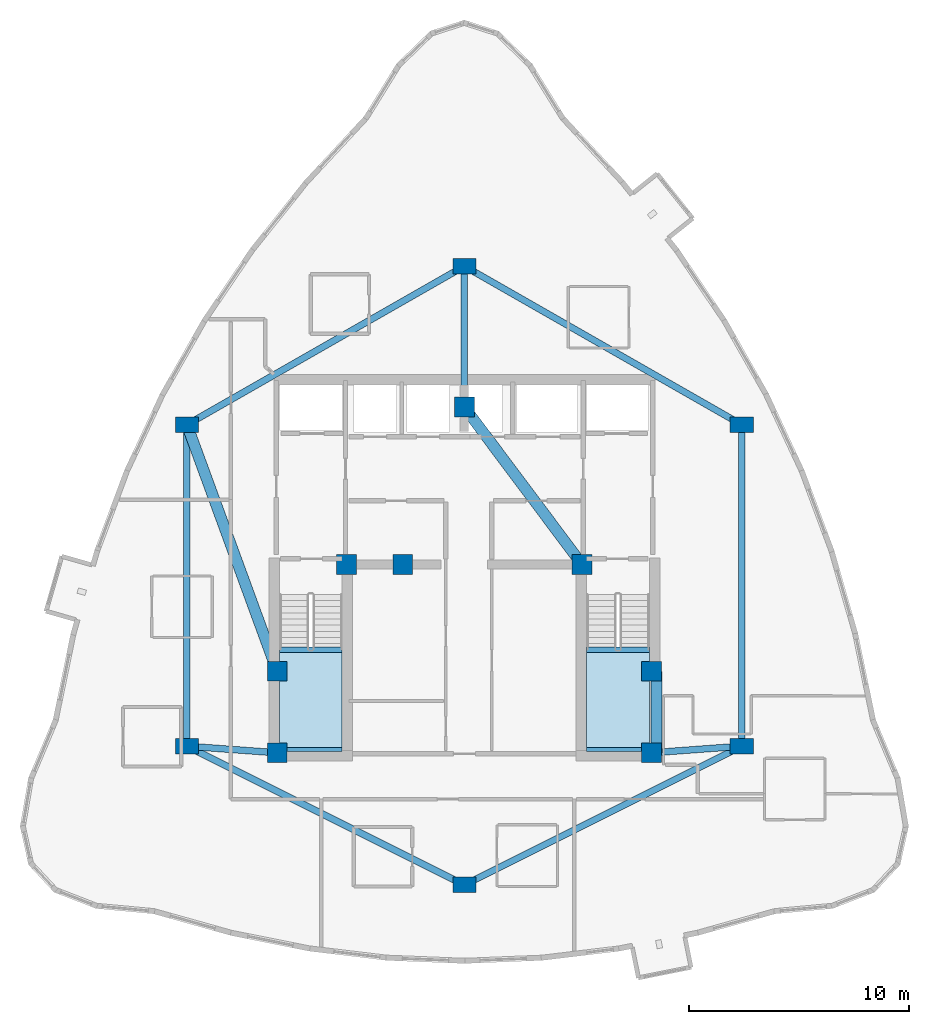
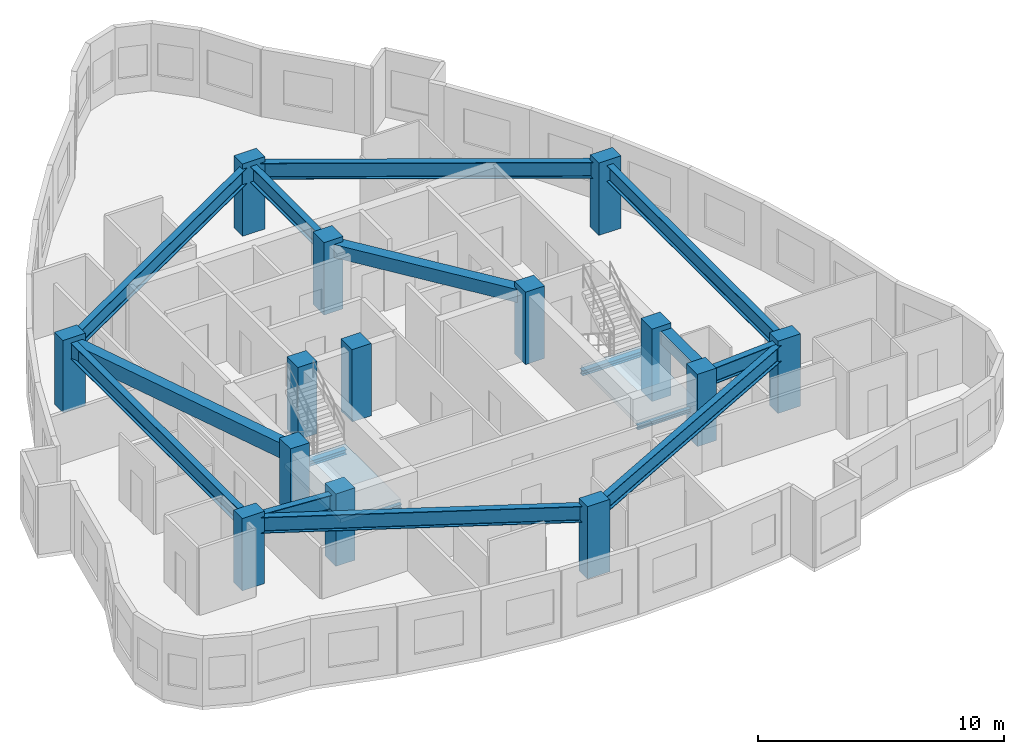
# One storey, part 1 of 8: 16 beams, 14 columns, 2 slabs, 2 elements without a shape of their own.
"""IFC4 building model written with IfcOpenShell, lengths in metres."""

from ifc_helpers import new_model, si_unit, direction, frame, origin, origin_2d, place, context, subcontext, project, spatial, polyline, rectangle, i_section, outline, extrude, material, layer, layer_set, material_profile, profile_set, type_object, element, aggregate, save


model = new_model("IFC4")

# Units and contexts
model_context = context("Model", 3, precision=1e-05, world=origin(), true_north=direction((0.0, 1.0)))
body_context = subcontext(model_context, "Body", "Model", "MODEL_VIEW")
ifc_project = project(units=[si_unit("LENGTHUNIT", "METRE"), si_unit("AREAUNIT", "SQUARE_METRE"), si_unit("VOLUMEUNIT", "CUBIC_METRE"), si_unit("PLANEANGLEUNIT", "RADIAN"), si_unit("MASSUNIT", "GRAM", prefix="KILO")], contexts=[model_context])

# Site, building, storey
site_placement = place(None, origin())
site = spatial("IfcSite", under=ifc_project, at=site_placement, CompositionType="ELEMENT")
building_placement = place(site_placement, origin())
building = spatial("IfcBuilding", under=site, at=building_placement, Name="Miruveldt Soraemaru", CompositionType="ELEMENT")
storey_placement = place(building_placement, frame((0.0, 0.0, 208.800048828125)))
storey = spatial("IfcBuildingStorey", under=building, at=storey_placement, Name="L57", CompositionType="ELEMENT", Elevation=208.800048828125)

# Columns
ifc_material_1 = material(Name="Concrete C50/60 (50 MPa)", Category="concrete")
ifc_material_profile_1 = material_profile(ifc_material_1, rectangle(XDim=0.89990234375, YDim=0.89990234375, at=origin_2d()), Name="Concrete C50/60 (50 MPa)", Category="concrete")
ifc_profile_set_1 = profile_set([ifc_material_profile_1], Name="Concrete C50/60 (50 MPa)")
column_type_1 = type_object("IfcColumnType", Name="COL-CORE-900", PredefinedType="COLUMN", material=ifc_profile_set_1)
for number, where, z_axis, x_axis, name in (
    (1, (35.5, 35.5, 0.0), (0.0, 0.0, 1.0), (1.0, 0.0, 0.0), "L57 Structural Column CC1"),
    (2, (38.64990234375, 44.050048828125, 0.0), (0.0, 0.0, 1.0), (1.0, 0.0, 0.0), "L57 Structural Column CC2"),
    (3, (52.5, 35.5, 0.0), (0.0, 0.0, 1.0), (1.0, 0.0, 0.0), "L57 Structural Column CC3"),
    (4, (52.5, 39.199951171875, 0.0), (0.0, 0.0, 1.0), (1.0, 0.0, 0.0), "L57 Structural Column CC4"),
    (5, (49.35009765625, 44.050048828125, 0.0), (0.0, 0.0, 1.0), (1.0, 0.0, 0.0), "L57 Structural Column CC5"),
    (6, (44.0, 51.199951171875, 0.0), (0.0, 0.0, 1.0), (1.0, 0.0, 0.0), "L57 Structural Column CC6"),
    (7, (35.5, 39.199951171875, 0.0), (0.0, 0.0, 1.0), (1.0, 0.0, 0.0), "L57 Structural Column CC7"),
    (8, (41.199951171875, 44.050048828125, 0.0), (0.0, 0.0, 1.0), (1.0, 0.0, 0.0), "L57 Structural Column CC8"),
):
    element("IfcColumn", number, at=place(storey_placement, frame(where, z_axis=z_axis, x_axis=x_axis)), inside=storey, type_object=column_type_1, Name=name, PredefinedType="COLUMN", context=body_context, shape_type="SweptSolid", body=[
        extrude(rectangle(XDim=0.89990234375, YDim=0.89990234375, at=origin_2d()), origin(), (0.0, 0.0, 1.0), 3.599853515625),
    ])
ifc_material_2 = material(Name="Concrete C60/75 (60 MPa)", Category="concrete")
ifc_material_profile_2 = material_profile(ifc_material_2, rectangle(XDim=1.050048828125, YDim=0.699951171875, at=origin_2d()), Name="Concrete C60/75 (60 MPa)", Category="concrete")
ifc_profile_set_2 = profile_set([ifc_material_profile_2], Name="Concrete C60/75 (60 MPa)")
column_type_2 = type_object("IfcColumnType", Name="COL-TW-Z3", PredefinedType="COLUMN", material=ifc_profile_set_2)
for number, where, z_axis, x_axis, name in (
    (9, (44.0, 57.60009765625, 0.0), (0.0, 0.0, 1.0), (1.0, 0.0, 0.0), "L57 Structural Column IR01"),
    (10, (56.60009765625, 50.39990234375, 0.0), (0.0, 0.0, 1.0), (1.0, 0.0, 0.0), "L57 Structural Column IR02"),
    (11, (56.60009765625, 35.800048828125, 0.0), (0.0, 0.0, 1.0), (1.0, 0.0, 0.0), "L57 Structural Column IR03"),
    (12, (44.0, 29.5, 0.0), (0.0, 0.0, 1.0), (1.0, 0.0, 0.0), "L57 Structural Column IR04"),
    (13, (31.39990234375, 35.800048828125, 0.0), (0.0, 0.0, 1.0), (1.0, 0.0, 0.0), "L57 Structural Column IR05"),
    (14, (31.39990234375, 50.39990234375, 0.0), (0.0, 0.0, 1.0), (1.0, 0.0, 0.0), "L57 Structural Column IR06"),
):
    element("IfcColumn", number, at=place(storey_placement, frame(where, z_axis=z_axis, x_axis=x_axis)), inside=storey, type_object=column_type_2, Name=name, PredefinedType="COLUMN", context=body_context, shape_type="SweptSolid", body=[
        extrude(rectangle(XDim=1.050048828125, YDim=0.699951171875, at=origin_2d()), origin(), (0.0, 0.0, 1.0), 3.599853515625),
    ])

# Beams
ifc_material_profile_3 = material_profile(ifc_material_1, rectangle(XDim=0.5, YDim=0.64990234375, at=origin_2d()), Name="Concrete C50/60 (50 MPa)", Category="concrete")
ifc_profile_set_3 = profile_set([ifc_material_profile_3], Name="Concrete C50/60 (50 MPa)")
beam_type_1 = type_object("IfcBeamType", Name="BM-RC-500x650", PredefinedType="BEAM", material=ifc_profile_set_3)
beam_1_placement = place(storey_placement, frame((52.72998046875, 35.5, 3.02001953125), z_axis=(0.0, 1.0, 0.0), x_axis=(-1.0, 0.0, 0.0)))
element("IfcBeam", 15, at=beam_1_placement, inside=storey, type_object=beam_type_1, Name="L57 Core Tie Beam 3", PredefinedType="BEAM", context=body_context, shape_type="SweptSolid", body=[
    extrude(rectangle(XDim=0.5, YDim=0.64990234375, at=origin_2d()), origin(), (0.0, 0.0, 1.0), 3.699951171875),
])
beam_2_placement = place(storey_placement, frame((49.35009765625, 44.050048828125, 3.02001953125), z_axis=(-0.599116023999, 0.800662219533, 0.0), x_axis=(-0.800662219533, -0.599116023999, 0.0)))
element("IfcBeam", 16, at=beam_2_placement, inside=storey, type_object=beam_type_1, Name="L57 Core Tie Beam 5", PredefinedType="BEAM", context=body_context, shape_type="SweptSolid", body=[
    extrude(rectangle(XDim=0.5, YDim=0.64990234375, at=origin_2d()), origin(), (0.0, 0.0, 1.0), 8.929931640625),
])
ifc_material_3 = material(Name="Concrete C40/50 (40 MPa)", Category="concrete")
ifc_material_profile_4 = material_profile(ifc_material_3, rectangle(XDim=0.5, YDim=0.75, at=origin_2d()), Name="Concrete C40/50 (40 MPa)", Category="concrete")
ifc_profile_set_4 = profile_set([ifc_material_profile_4], Name="Concrete C40/50 (40 MPa)")
beam_type_2 = type_object("IfcBeamType", Name="BM-RC-500x750", PredefinedType="LINTEL", material=ifc_profile_set_4)
beam_3_placement = place(storey_placement, frame((31.39990234375, 50.39990234375, 2.969970703125), z_axis=(0.343770424598, -0.939053723262, 0.0), x_axis=(0.939053723262, 0.343770424598, 0.0)))
element("IfcBeam", 17, at=beam_3_placement, inside=storey, type_object=beam_type_2, Name="L57 West Lobby Lintel", PredefinedType="LINTEL", context=body_context, shape_type="SweptSolid", body=[
    extrude(rectangle(XDim=0.5, YDim=0.75, at=origin_2d()), origin(), (0.0, 0.0, 1.0), 11.9267578125),
])
ifc_material_4 = material(Name="Steel S460 (460 MPa)", Category="steel")
ifc_material_profile_5 = material_profile(ifc_material_4, i_section(OverallWidth=0.300048828125, OverallDepth=0.800048828125, WebThickness=0.013916015625, FlangeThickness=0.02587890625, FilletRadius=0.028076171875, at=origin_2d()), Name="Steel S460 (460 MPa)", Category="steel")
ifc_profile_set_5 = profile_set([ifc_material_profile_5], Name="Steel S460 (460 MPa)")
beam_type_3 = type_object("IfcBeamType", Name="BM-ST-H800", PredefinedType="BEAM", material=ifc_profile_set_5)
beam_4_placement = place(storey_placement, frame((44.0, 57.60009765625, 2.945068359375), z_axis=(0.868239001029, -0.496146185203, 0.0), x_axis=(0.496146185203, 0.868239001029, 0.0)))
element("IfcBeam", 18, at=beam_4_placement, inside=storey, type_object=beam_type_3, Name="L57 Inner Ring Girder 1", PredefinedType="BEAM", context=body_context, shape_type="SweptSolid", body=[
    extrude(i_section(OverallWidth=0.300048828125, OverallDepth=0.800048828125, WebThickness=0.013916015625, FlangeThickness=0.02587890625, FilletRadius=0.028076171875, at=origin_2d()), origin(), (0.0, 0.0, 1.0), 14.51220703125),
])
beam_5_placement = place(storey_placement, frame((44.0, 51.199951171875, 2.945068359375), z_axis=(0.0, 1.0, 0.0), x_axis=(-1.0, 0.0, 0.0)))
element("IfcBeam", 19, at=beam_5_placement, inside=storey, type_object=beam_type_3, Name="L57 Core-to-Inner Radial Girder 1", PredefinedType="BEAM", context=body_context, shape_type="SweptSolid", body=[
    extrude(i_section(OverallWidth=0.300048828125, OverallDepth=0.800048828125, WebThickness=0.013916015625, FlangeThickness=0.02587890625, FilletRadius=0.028076171875, at=origin_2d()), origin(), (0.0, 0.0, 1.0), 6.400146484375),
])
beam_6_placement = place(storey_placement, frame((56.60009765625, 50.39990234375, 2.945068359375), z_axis=(0.0, -1.0, 0.0), x_axis=(1.0, 0.0, 0.0)))
element("IfcBeam", 20, at=beam_6_placement, inside=storey, type_object=beam_type_3, Name="L57 Inner Ring Girder 2", PredefinedType="BEAM", context=body_context, shape_type="SweptSolid", body=[
    extrude(i_section(OverallWidth=0.300048828125, OverallDepth=0.800048828125, WebThickness=0.013916015625, FlangeThickness=0.02587890625, FilletRadius=0.028076171875, at=origin_2d()), origin(), (0.0, 0.0, 1.0), 14.599853515625),
])
beam_7_placement = place(storey_placement, frame((56.60009765625, 35.800048828125, 2.945068359375), z_axis=(-0.894427191, -0.4472135955, 0.0), x_axis=(0.4472135955, -0.894427191, 0.0)))
element("IfcBeam", 21, at=beam_7_placement, inside=storey, type_object=beam_type_3, Name="L57 Inner Ring Girder 3", PredefinedType="BEAM", context=body_context, shape_type="SweptSolid", body=[
    extrude(i_section(OverallWidth=0.300048828125, OverallDepth=0.800048828125, WebThickness=0.013916015625, FlangeThickness=0.02587890625, FilletRadius=0.028076171875, at=origin_2d()), origin(), (0.0, 0.0, 1.0), 14.08740234375),
])
beam_8_placement = place(storey_placement, frame((52.5, 35.5, 2.945068359375), z_axis=(0.997332985605, 0.072985723431, 0.0), x_axis=(-0.072985723431, 0.997332985605, 0.0)))
element("IfcBeam", 22, at=beam_8_placement, inside=storey, type_object=beam_type_3, Name="L57 Core-to-Inner Radial Girder 3", PredefinedType="BEAM", context=body_context, shape_type="SweptSolid", body=[
    extrude(i_section(OverallWidth=0.300048828125, OverallDepth=0.800048828125, WebThickness=0.013916015625, FlangeThickness=0.02587890625, FilletRadius=0.028076171875, at=origin_2d()), origin(), (0.0, 0.0, 1.0), 4.111083984375),
])
beam_9_placement = place(storey_placement, frame((44.0, 29.5, 2.945068359375), z_axis=(-0.894427191, 0.4472135955, 0.0), x_axis=(-0.4472135955, -0.894427191, 0.0)))
element("IfcBeam", 23, at=beam_9_placement, inside=storey, type_object=beam_type_3, Name="L57 Inner Ring Girder 4", PredefinedType="BEAM", context=body_context, shape_type="SweptSolid", body=[
    extrude(i_section(OverallWidth=0.300048828125, OverallDepth=0.800048828125, WebThickness=0.013916015625, FlangeThickness=0.02587890625, FilletRadius=0.028076171875, at=origin_2d()), origin(), (0.0, 0.0, 1.0), 14.08740234375),
])
beam_10_placement = place(storey_placement, frame((31.39990234375, 35.800048828125, 2.945068359375), z_axis=(0.0, 1.0, 0.0), x_axis=(-1.0, 0.0, 0.0)))
element("IfcBeam", 24, at=beam_10_placement, inside=storey, type_object=beam_type_3, Name="L57 Inner Ring Girder 5", PredefinedType="BEAM", context=body_context, shape_type="SweptSolid", body=[
    extrude(i_section(OverallWidth=0.300048828125, OverallDepth=0.800048828125, WebThickness=0.013916015625, FlangeThickness=0.02587890625, FilletRadius=0.028076171875, at=origin_2d()), origin(), (0.0, 0.0, 1.0), 14.599853515625),
])
beam_11_placement = place(storey_placement, frame((35.5, 35.5, 2.945068359375), z_axis=(-0.997332985605, 0.072985723431, 0.0), x_axis=(-0.072985723431, -0.997332985605, 0.0)))
element("IfcBeam", 25, at=beam_11_placement, inside=storey, type_object=beam_type_3, Name="L57 Core-to-Inner Radial Girder 5", PredefinedType="BEAM", context=body_context, shape_type="SweptSolid", body=[
    extrude(i_section(OverallWidth=0.300048828125, OverallDepth=0.800048828125, WebThickness=0.013916015625, FlangeThickness=0.02587890625, FilletRadius=0.028076171875, at=origin_2d()), origin(), (0.0, 0.0, 1.0), 4.111083984375),
])
beam_12_placement = place(storey_placement, frame((31.39990234375, 50.39990234375, 2.945068359375), z_axis=(0.868239001029, 0.496146185203, 0.0), x_axis=(-0.496146185203, 0.868239001029, 0.0)))
element("IfcBeam", 26, at=beam_12_placement, inside=storey, type_object=beam_type_3, Name="L57 Inner Ring Girder 6", PredefinedType="BEAM", context=body_context, shape_type="SweptSolid", body=[
    extrude(i_section(OverallWidth=0.300048828125, OverallDepth=0.800048828125, WebThickness=0.013916015625, FlangeThickness=0.02587890625, FilletRadius=0.028076171875, at=origin_2d()), origin(), (0.0, 0.0, 1.0), 14.51220703125),
])
ifc_material_5 = material(Name="Steel SM355 (355 MPa)", Category="steel")
ifc_material_profile_6 = material_profile(ifc_material_5, i_section(OverallWidth=0.199951171875, OverallDepth=0.199951171875, WebThickness=0.008056640625, FlangeThickness=0.011962890625, FilletRadius=0.012939453125, at=origin_2d()), Name="Steel SM355 (355 MPa)", Category="steel")
ifc_profile_set_6 = profile_set([ifc_material_profile_6], Name="Steel SM355 (355 MPa)")
beam_type_4 = type_object("IfcBeamType", Name="BM-ST-LND200", PredefinedType="BEAM", material=ifc_profile_set_6)
for number, where, z_axis, x_axis, name in (
    (27, (35.60009765625, 35.64990234375, 1.5), (1.0, 0.0, 0.0), (0.0, 1.0, 0.0), "L57 ST1 Landing End Beam 1B"),
    (28, (49.550048828125, 35.64990234375, 1.5), (1.0, 0.0, 0.0), (0.0, 1.0, 0.0), "L57 ST2 Landing End Beam 1B"),
):
    element("IfcBeam", number, at=place(storey_placement, frame(where, z_axis=z_axis, x_axis=x_axis)), inside=storey, type_object=beam_type_4, Name=name, PredefinedType="BEAM", context=body_context, shape_type="SweptSolid", body=[
        extrude(i_section(OverallWidth=0.199951171875, OverallDepth=0.199951171875, WebThickness=0.008056640625, FlangeThickness=0.011962890625, FilletRadius=0.012939453125, at=origin_2d()), origin(), (0.0, 0.0, 1.0), 2.849853515625),
    ])
ifc_material_profile_7 = material_profile(ifc_material_5, i_section(OverallWidth=0.25, OverallDepth=0.25, WebThickness=0.009033203125, FlangeThickness=0.013916015625, FilletRadius=0.01611328125, at=origin_2d()), Name="Steel SM355 (355 MPa)", Category="steel")
ifc_profile_set_7 = profile_set([ifc_material_profile_7], Name="Steel SM355 (355 MPa)")
beam_type_5 = type_object("IfcBeamType", Name="BM-ST-LND250", PredefinedType="BEAM", material=ifc_profile_set_7)
for number, where, z_axis, x_axis, name in (
    (29, (35.60009765625, 40.179931640625, 1.474853515625), (1.0, 0.0, 0.0), (0.0, 1.0, 0.0), "L57 ST1 Landing Support Beam 1A"),
    (30, (49.550048828125, 40.179931640625, 1.474853515625), (1.0, 0.0, 0.0), (0.0, 1.0, 0.0), "L57 ST2 Landing Support Beam 1A"),
):
    element("IfcBeam", number, at=place(storey_placement, frame(where, z_axis=z_axis, x_axis=x_axis)), inside=storey, type_object=beam_type_5, Name=name, PredefinedType="BEAM", context=body_context, shape_type="SweptSolid", body=[
        extrude(i_section(OverallWidth=0.25, OverallDepth=0.25, WebThickness=0.009033203125, FlangeThickness=0.013916015625, FilletRadius=0.01611328125, at=origin_2d()), origin(), (0.0, 0.0, 1.0), 2.849853515625),
    ])

# Stair, slab
stair_type = type_object("IfcStairType", Name="STAIR-DL-360", PredefinedType="HALF_TURN_STAIR", material=ifc_material_3)
stair_1_placement = place(storey_placement, origin())
stair_1 = element("IfcStair", 31, at=stair_1_placement, inside=storey, type_object=stair_type, Name="L57 Protected Exit Stair ST-1", PredefinedType="HALF_TURN_STAIR")
ifc_layer = layer(ifc_material_3, 0.199951171875, Name="Concrete C40/50 (40 MPa)", Category="concrete")
ifc_layer_set = layer_set([ifc_layer], Name="Concrete C40/50 (40 MPa)")
slab_type = type_object("IfcSlabType", Name="SLAB-LAND-200", PredefinedType="LANDING", material=ifc_layer_set)
slab_1_placement = place(storey_placement, frame((0.0, 0.0, 1.599853515625)))
slab_1 = element("IfcSlab", 32, at=slab_1_placement, type_object=slab_type, Name="ST-1 landing 1", PredefinedType="LANDING", context=body_context, shape_type="SweptSolid", body=[
    extrude(outline(polyline([(35.60009765625, 40.197998046875), (35.60009765625, 35.64990234375), (38.449951171875, 35.64990234375), (38.449951171875, 40.197998046875), (35.60009765625, 40.197998046875)])), origin(), (0.0, 0.0, 1.0), 0.2001953125),
])
aggregate(stair_1, [slab_1])

stair_2_placement = place(storey_placement, origin())
stair_2 = element("IfcStair", 33, at=stair_2_placement, inside=storey, type_object=stair_type, Name="L57 Protected Exit Stair ST-2", PredefinedType="HALF_TURN_STAIR")
slab_2_placement = place(storey_placement, frame((0.0, 0.0, 1.599853515625)))
slab_2 = element("IfcSlab", 34, at=slab_2_placement, type_object=slab_type, Name="ST-2 landing 1", PredefinedType="LANDING", context=body_context, shape_type="SweptSolid", body=[
    extrude(outline(polyline([(49.550048828125, 40.197998046875), (49.550048828125, 35.64990234375), (52.39990234375, 35.64990234375), (52.39990234375, 40.197998046875), (49.550048828125, 40.197998046875)])), origin(), (0.0, 0.0, 1.0), 0.2001953125),
])
aggregate(stair_2, [slab_2])

save(model, "model.ifc")
